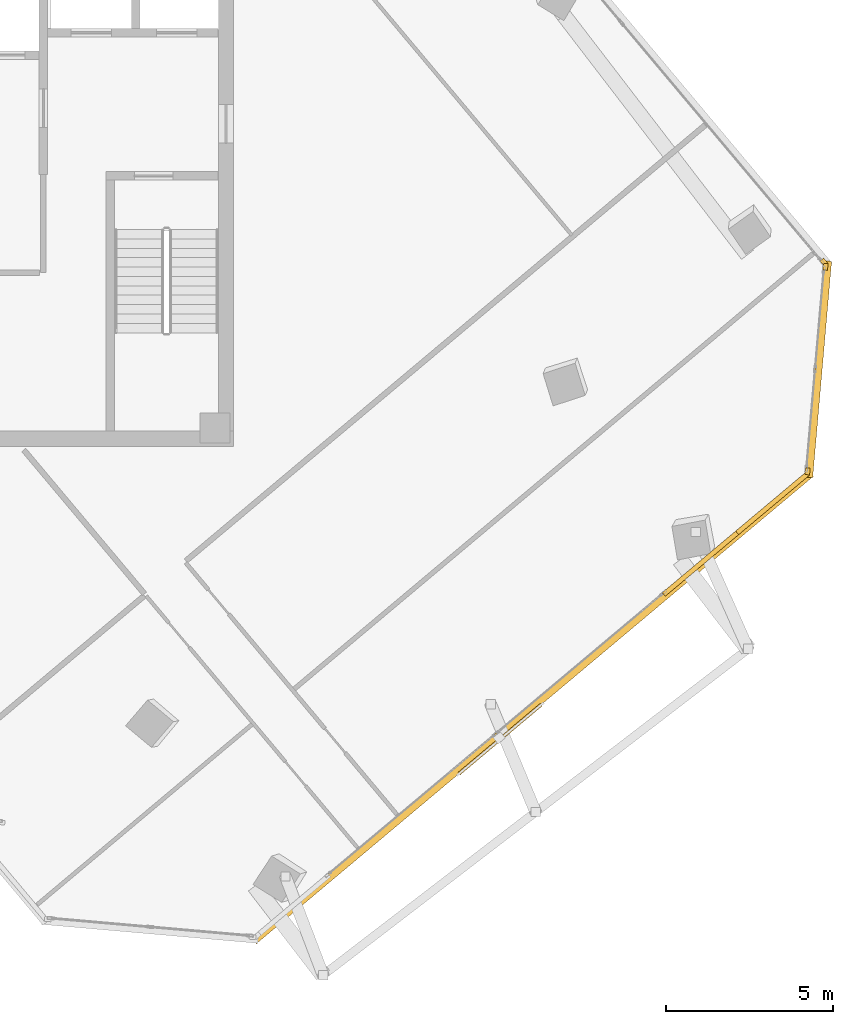
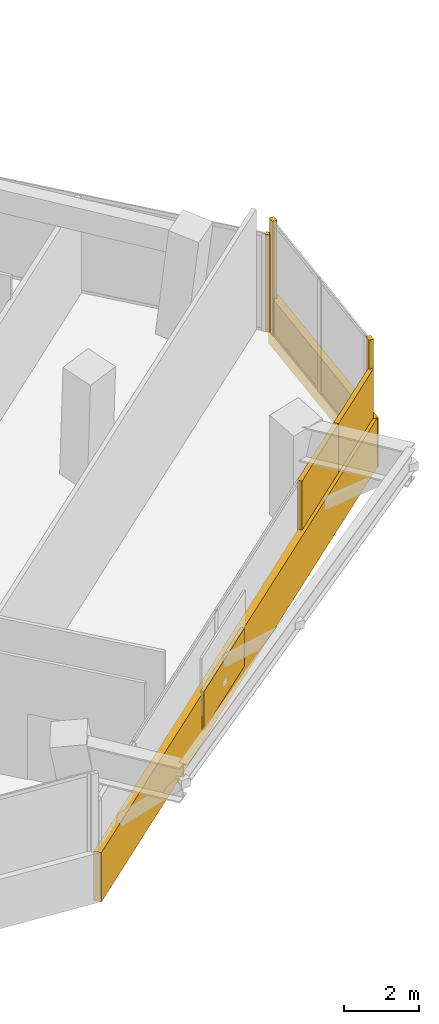
# One storey, part 16 of 17: 7 coverings, 1 shading device.
"""IFC4 building model written with IfcOpenShell, lengths in metres."""

from ifc_helpers import new_model, si_unit, direction, frame, origin, origin_2d, place, context, subcontext, project, spatial, rectangle, extrude, source, transform, mapped, material, layer, layer_set, type_object, element, save


model = new_model("IFC4")

# Units and contexts
model_context = context("Model", 3, precision=1e-05, world=origin(), true_north=direction((0.0, 1.0)))
body_context = subcontext(model_context, "Body", "Model", "MODEL_VIEW")
ifc_project = project(units=[si_unit("LENGTHUNIT", "METRE"), si_unit("AREAUNIT", "SQUARE_METRE"), si_unit("VOLUMEUNIT", "CUBIC_METRE"), si_unit("PLANEANGLEUNIT", "RADIAN"), si_unit("MASSUNIT", "GRAM", prefix="KILO")], contexts=[model_context])

# Site, building, storey
site_placement = place(None, origin())
site = spatial("IfcSite", under=ifc_project, at=site_placement, CompositionType="ELEMENT")
building_placement = place(site_placement, origin())
building = spatial("IfcBuilding", under=site, at=building_placement, Name="Torre Montelarca", CompositionType="ELEMENT")
storey_placement = place(building_placement, frame((0.0, 0.0, 275.199951171875)))
storey = spatial("IfcBuildingStorey", under=building, at=storey_placement, Name="L62", CompositionType="ELEMENT", Elevation=275.199951171875)

# Covering
ifc_material_1 = material(Name="Bush-hammered warm white precast concrete C45/55", Category="concrete")
ifc_layer_1 = layer(ifc_material_1, 0.139892578125, Name="Bush-hammered warm white precast concrete C45/55", Category="concrete")
ifc_layer_set_1 = layer_set([ifc_layer_1], Name="Bush-hammered warm white precast concrete C45/55")
covering_type = type_object("IfcCoveringType", Name="COV-TRAY-CLAD", PredefinedType="CLADDING", material=ifc_layer_set_1)
shared_shape_1 = source(origin(), body_context, "Body", "SweptSolid", [
    extrude(rectangle(XDim=6.48388671875, YDim=0.219970703125, at=origin_2d()), origin(), (0.0, 0.0, 1.0), 1.6201171875),
])
covering_1_placement = place(storey_placement, frame((44.4658203125, 26.2998046875, -0.449951171875), z_axis=(0.0, 0.0, 1.0), x_axis=(0.087147049306, 0.996195458631, 0.0)))
element("IfcCovering", 1, at=covering_1_placement, inside=storey, type_object=covering_type, Name="L62 Architectural White Spandrel Tray Band TRYBOT-07", PredefinedType="CLADDING", context=body_context, shape_type="MappedRepresentation", body=[
    mapped(shared_shape_1, transform((0.0, 0.0, 0.0), scale=1.0)),
])

# Shading device
ifc_material_2 = material(Name="Architectural perforated terracotta ceramic", Category="masonry")
ifc_layer_2 = layer(ifc_material_2, 0.080078125, Name="Architectural perforated terracotta ceramic", Category="masonry")
ifc_layer_set_2 = layer_set([ifc_layer_2], Name="Architectural perforated terracotta ceramic")
shading_device_type = type_object("IfcShadingDeviceType", Name="SHD-JALOUSIE-1", PredefinedType="JALOUSIE", material=ifc_layer_set_2)
shared_shape_2 = source(origin(), body_context, "Body", "SweptSolid", [
    extrude(rectangle(XDim=3.199951171875, YDim=0.10009765625, at=origin_2d()), origin(), (0.0, 0.0, 1.0), 1.25),
])
shading_device_placement = place(storey_placement, frame((34.961669921875, 15.255615234375, -0.0048828125), z_axis=(0.0, 0.0, 1.0), x_axis=(0.766045564994, 0.642786272686, 0.0)))
element("IfcShadingDevice", 2, at=shading_device_placement, inside=storey, type_object=shading_device_type, Name="L62 Facade Solar Shading Device E6", PredefinedType="JALOUSIE", context=body_context, shape_type="MappedRepresentation", body=[
    mapped(shared_shape_2, transform((0.0, 0.0, 0.0), scale=1.0)),
])

# Coverings
shared_shape_3 = source(origin(), body_context, "Body", "SweptSolid", [
    extrude(rectangle(XDim=0.199951171875, YDim=0.139892578125, at=origin_2d()), origin(), (0.0, 0.0, 1.0), 3.719970703125),
])
for number, where, z_axis, x_axis, name in (
    (3, (44.138916015625, 23.25048828125, 0.0), (0.0, 0.0, 1.0), (0.08716095881, 0.996194241732, 0.0), "L62 Architectural Column Pier Cladding E07-1"),
    (4, (44.67333984375, 29.359375, 0.0), (0.0, 0.0, 1.0), (0.08716095881, 0.996194241732, 0.0), "L62 Architectural Column Pier Cladding E07-2"),
):
    element("IfcCovering", number, at=place(storey_placement, frame(where, z_axis=z_axis, x_axis=x_axis)), inside=storey, type_object=covering_type, Name=name, PredefinedType="CLADDING", context=body_context, shape_type="MappedRepresentation", body=[
        mapped(shared_shape_3, transform((0.0, 0.0, 0.0), scale=1.0)),
    ])
shared_shape_4 = source(origin(), body_context, "Body", "SweptSolid", [
    extrude(rectangle(XDim=0.199951171875, YDim=0.139892578125, at=origin_2d()), origin(), (0.0, 0.0, 1.0), 3.175048828125),
])
covering_2_placement = place(storey_placement, frame((44.629638671875, 29.497802734375, 0.0), z_axis=(0.0, 0.0, 1.0), x_axis=(-0.642787609687, 0.766044443119, 0.0)))
element("IfcCovering", 5, at=covering_2_placement, inside=storey, type_object=covering_type, Name="L62 Architectural Column Pier Cladding E08-1", PredefinedType="CLADDING", context=body_context, shape_type="MappedRepresentation", body=[
    mapped(shared_shape_4, transform((0.0, 0.0, 0.0), scale=1.0)),
])
shared_shape_5 = source(origin(), body_context, "Body", "SweptSolid", [
    extrude(rectangle(XDim=21.719970703125, YDim=0.219970703125, at=origin_2d()), origin(), (0.0, 0.0, 1.0), 1.6201171875),
])
covering_3_placement = place(storey_placement, frame((35.92578125, 16.208251953125, -0.449951171875), z_axis=(0.0, 0.0, 1.0), x_axis=(0.766045564994, 0.642786272686, 0.0)))
element("IfcCovering", 6, at=covering_3_placement, inside=storey, type_object=covering_type, Name="L62 Architectural White Spandrel Tray Band TRYBOT-06", PredefinedType="CLADDING", context=body_context, shape_type="MappedRepresentation", body=[
    mapped(shared_shape_5, transform((0.0, 0.0, 0.0), scale=1.0)),
])
shared_shape_6 = source(origin(), body_context, "Body", "SweptSolid", [
    extrude(rectangle(XDim=2.9619140625, YDim=0.139892578125, at=origin_2d()), origin(), (0.0, 0.0, 1.0), 2.77490234375),
])
covering_4_placement = place(storey_placement, frame((40.980712890625, 20.528076171875, 0.0), z_axis=(0.0, 0.0, 1.0), x_axis=(0.766044443119, 0.642787609687, 0.0)))
element("IfcCovering", 7, at=covering_4_placement, inside=storey, type_object=covering_type, Name="L62 Architectural Column Pier Cladding E06-3", PredefinedType="CLADDING", context=body_context, shape_type="MappedRepresentation", body=[
    mapped(shared_shape_6, transform((0.0, 0.0, 0.0), scale=1.0)),
])
shared_shape_7 = source(origin(), body_context, "Body", "SweptSolid", [
    extrude(rectangle(XDim=2.754150390625, YDim=0.139892578125, at=origin_2d()), origin(), (0.0, 0.0, 1.0), 2.77490234375),
])
covering_5_placement = place(storey_placement, frame((43.093505859375, 22.30078125, 0.0), z_axis=(0.0, 0.0, 1.0), x_axis=(0.766044443119, 0.642787609687, 0.0)))
element("IfcCovering", 8, at=covering_5_placement, inside=storey, type_object=covering_type, Name="L62 Architectural Column Pier Cladding E06-4", PredefinedType="CLADDING", context=body_context, shape_type="MappedRepresentation", body=[
    mapped(shared_shape_7, transform((0.0, 0.0, 0.0), scale=1.0)),
])

save(model, "model.ifc")
